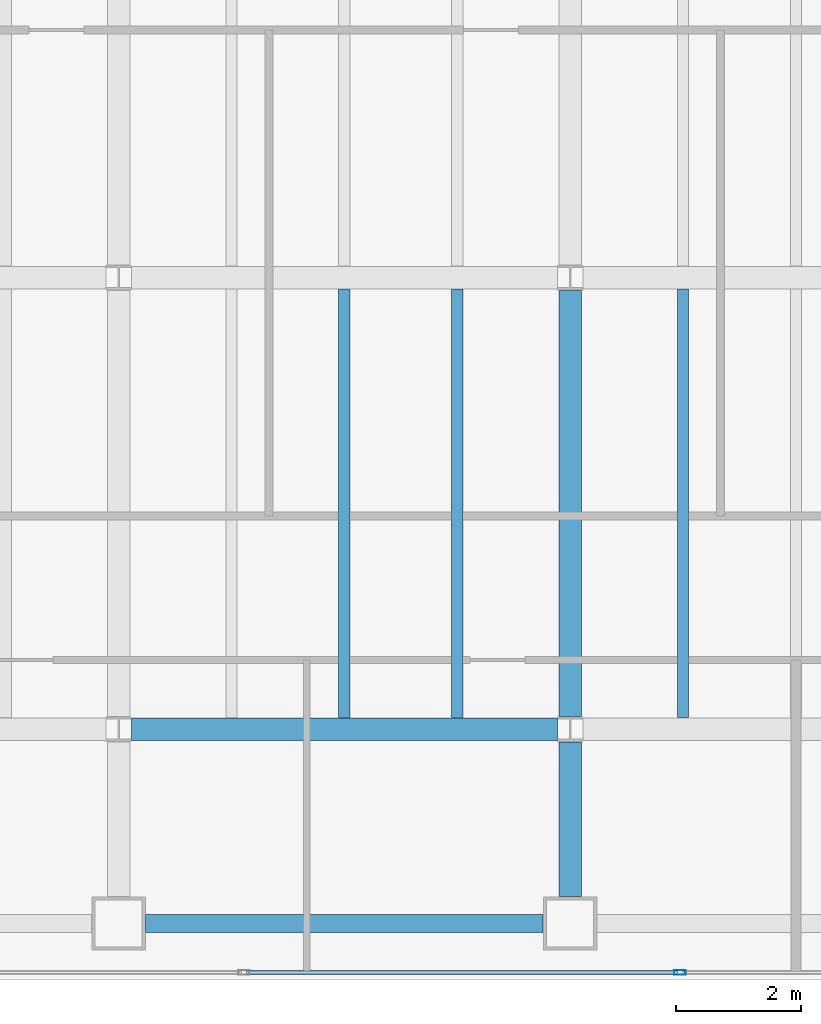
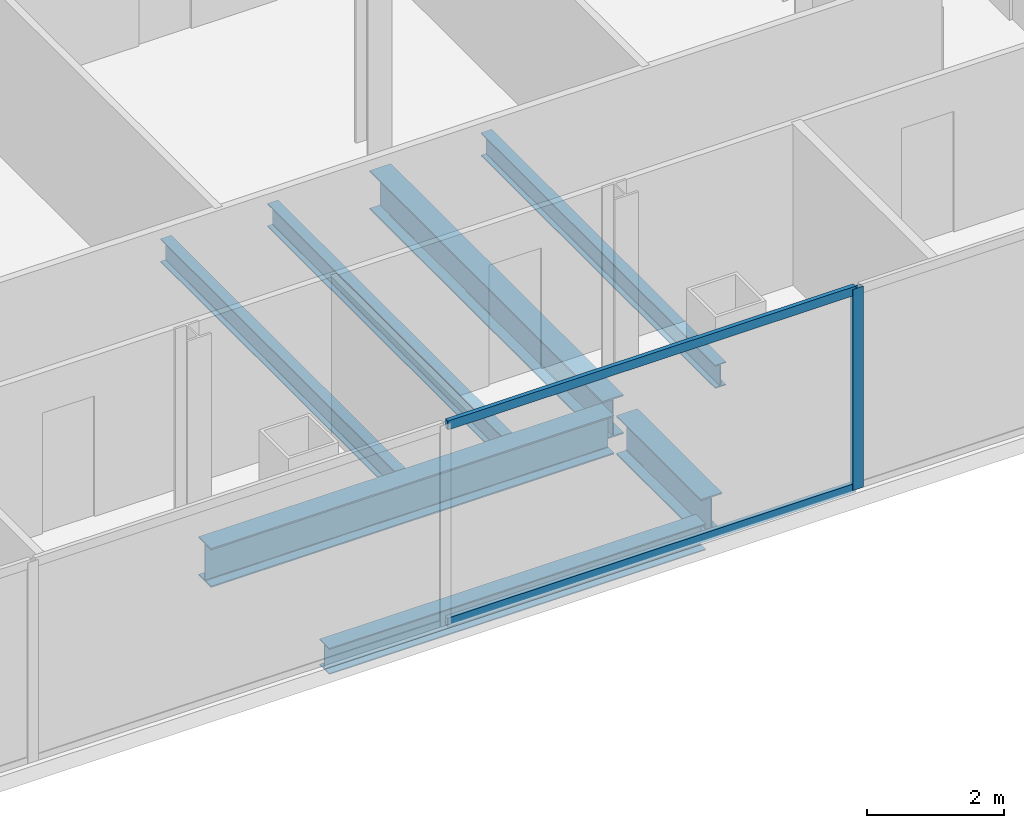
# One storey, part 5 of 24: 7 beams, 3 members, 1 element without a shape of its own.
"""IFC4 building model written with IfcOpenShell, lengths in metres."""

from ifc_helpers import new_model, si_unit, direction, frame, origin, origin_2d, place, context, subcontext, project, spatial, hollow_rectangle, i_section, extrude, material, material_profile, profile_set, type_object, element, aggregate, save


model = new_model("IFC4")

# Units and contexts
model_context = context("Model", 3, precision=1e-05, world=origin(), true_north=direction((0.0, 1.0)))
body_context = subcontext(model_context, "Body", "Model", "MODEL_VIEW")
ifc_project = project(units=[si_unit("LENGTHUNIT", "METRE"), si_unit("AREAUNIT", "SQUARE_METRE"), si_unit("VOLUMEUNIT", "CUBIC_METRE"), si_unit("PLANEANGLEUNIT", "RADIAN"), si_unit("MASSUNIT", "GRAM", prefix="KILO")], contexts=[model_context])

# Site, building, storey
site_placement = place(None, origin())
site = spatial("IfcSite", under=ifc_project, at=site_placement, CompositionType="ELEMENT")
building_placement = place(site_placement, origin())
building = spatial("IfcBuilding", under=site, at=building_placement, Name="Cobrela Telecom Tower", CompositionType="ELEMENT")
storey_placement = place(building_placement, frame((0.0, 0.0, 152.25)))
storey = spatial("IfcBuildingStorey", under=building, at=storey_placement, Name="L38", CompositionType="ELEMENT", Elevation=152.25)

# Beams
ifc_material_1 = material(Name="Steel ASTM A992 Grade 50", Category="steel")
ifc_material_profile_1 = material_profile(ifc_material_1, i_section(OverallWidth=0.35595703125, OverallDepth=0.696044921875, WebThickness=0.015380859375, FlangeThickness=0.024658203125, FilletRadius=0.01806640625, at=origin_2d()), Name="W27X146")
ifc_profile_set_1 = profile_set([ifc_material_profile_1], Name="Steel ASTM A992 Grade 50")
beam_type_1 = type_object("IfcBeamType", Name="BM-GIRD-05", PredefinedType="USERDEFINED", material=ifc_profile_set_1)
beam_1_placement = place(storey_placement, frame((21.804443359375, 7.199951171875, -0.617919921875), z_axis=(1.0, 0.0, 0.0), x_axis=(0.0, 1.0, 0.0)))
element("IfcBeam", 1, at=beam_1_placement, inside=storey, type_object=beam_type_1, Name="L38 Primary Girder X09", ObjectType="GIRDER", PredefinedType="USERDEFINED", context=body_context, shape_type="SweptSolid", body=[
    extrude(i_section(OverallWidth=0.35595703125, OverallDepth=0.696044921875, WebThickness=0.015380859375, FlangeThickness=0.024658203125, FilletRadius=0.01806640625, at=origin_2d()), origin(), (0.0, 0.0, 1.0), 6.791015625),
])
beam_2_placement = place(storey_placement, frame((28.800048828125, 4.530029296875, -0.617919921875), z_axis=(0.0, 1.0, 0.0), x_axis=(-1.0, 0.0, 0.0)))
element("IfcBeam", 2, at=beam_2_placement, inside=storey, type_object=beam_type_1, Name="L38 Primary Girder Y46", ObjectType="GIRDER", PredefinedType="USERDEFINED", context=body_context, shape_type="SweptSolid", body=[
    extrude(i_section(OverallWidth=0.35595703125, OverallDepth=0.696044921875, WebThickness=0.015380859375, FlangeThickness=0.024658203125, FilletRadius=0.01806640625, at=origin_2d()), origin(), (0.0, 0.0, 1.0), 2.465576171875),
])
beam_3_placement = place(storey_placement, frame((28.800048828125, 7.404541015625, -0.617919921875), z_axis=(0.0, 1.0, 0.0), x_axis=(-1.0, 0.0, 0.0)))
element("IfcBeam", 3, at=beam_3_placement, inside=storey, type_object=beam_type_1, Name="L38 Primary Girder Y47", ObjectType="GIRDER", PredefinedType="USERDEFINED", context=body_context, shape_type="SweptSolid", body=[
    extrude(i_section(OverallWidth=0.35595703125, OverallDepth=0.696044921875, WebThickness=0.015380859375, FlangeThickness=0.024658203125, FilletRadius=0.01806640625, at=origin_2d()), origin(), (0.0, 0.0, 1.0), 6.791015625),
])
ifc_material_profile_2 = material_profile(ifc_material_1, i_section(OverallWidth=0.179931640625, OverallDepth=0.4169921875, WebThickness=0.010986328125, FlangeThickness=0.01806640625, FilletRadius=0.011962890625, at=origin_2d()), Name="W16X57")
ifc_profile_set_2 = profile_set([ifc_material_profile_2], Name="Steel ASTM A992 Grade 50")
beam_type_2 = type_object("IfcBeamType", Name="BM-JOIST-04", PredefinedType="JOIST", material=ifc_profile_set_2)
for number, where, z_axis, x_axis, name in (
    (4, (25.199951171875, 7.383056640625, -0.478515625), (0.0, 1.0, 0.0), (-1.0, 0.0, 0.0), "L38 Secondary Composite Floor Beam J23"),
    (5, (27.0, 7.383056640625, -0.478515625), (0.0, 1.0, 0.0), (-1.0, 0.0, 0.0), "L38 Secondary Composite Floor Beam J25"),
    (6, (30.60009765625, 7.383056640625, -0.478515625), (0.0, 1.0, 0.0), (-1.0, 0.0, 0.0), "L38 Secondary Composite Floor Beam J27"),
):
    element("IfcBeam", number, at=place(storey_placement, frame(where, z_axis=z_axis, x_axis=x_axis)), inside=storey, type_object=beam_type_2, Name=name, PredefinedType="JOIST", context=body_context, shape_type="SweptSolid", body=[
        extrude(i_section(OverallWidth=0.179931640625, OverallDepth=0.4169921875, WebThickness=0.010986328125, FlangeThickness=0.01806640625, FilletRadius=0.011962890625, at=origin_2d()), origin(), (0.0, 0.0, 1.0), 6.833984375),
    ])
ifc_material_profile_3 = material_profile(ifc_material_1, i_section(OverallWidth=0.281982421875, OverallDepth=0.467041015625, WebThickness=0.01220703125, FlangeThickness=0.01953125, FilletRadius=0.012939453125, at=origin_2d()), Name="W18X86")
ifc_profile_set_3 = profile_set([ifc_material_profile_3], Name="Steel ASTM A992 Grade 50")
beam_type_3 = type_object("IfcBeamType", Name="BM-SPAND-04", PredefinedType="SPANDREL", material=ifc_profile_set_3)
beam_4_placement = place(storey_placement, frame((22.030029296875, 4.10009765625, -0.50341796875), z_axis=(1.0, 0.0, 0.0), x_axis=(0.0, 1.0, 0.0)))
element("IfcBeam", 7, at=beam_4_placement, inside=storey, type_object=beam_type_3, Name="L38 Perimeter Spandrel X03", PredefinedType="SPANDREL", context=body_context, shape_type="SweptSolid", body=[
    extrude(i_section(OverallWidth=0.281982421875, OverallDepth=0.467041015625, WebThickness=0.01220703125, FlangeThickness=0.01953125, FilletRadius=0.012939453125, at=origin_2d()), origin(), (0.0, 0.0, 1.0), 6.340087890625),
])

# Curtain wall, members
ifc_material_2 = material(Name="Anodized Bronze Aluminium 6063-T6", Category="aluminium")
curtain_wall_type = type_object("IfcCurtainWallType", Name="CW-SYS-TEL", PredefinedType="USERDEFINED", material=ifc_material_2)
curtain_wall_placement = place(storey_placement, origin())
curtain_wall = element("IfcCurtainWall", 8, at=curtain_wall_placement, inside=storey, type_object=curtain_wall_type, Name="L38 Unitised Bronze Curtain Wall 17", ObjectType="UNITISED CURTAIN WALL", PredefinedType="USERDEFINED")
ifc_material_profile_4 = material_profile(ifc_material_2, hollow_rectangle(XDim=0.074951171875, YDim=0.179931640625, WallThickness=0.00390625, at=origin_2d()), Name="ALU 75x180x4")
ifc_profile_set_4 = profile_set([ifc_material_profile_4], Name="Anodized Bronze Aluminium 6063-T6")
member_type_1 = type_object("IfcMemberType", Name="CW-SYS-TEL-MUL", PredefinedType="MULLION", material=ifc_profile_set_4)
member_1_placement = place(storey_placement, frame((30.550048828125, 3.320068359375, 0.0), z_axis=(0.0, 0.0, 1.0), x_axis=(0.0, -1.0, 0.0)))
member_1 = element("IfcMember", 9, at=member_1_placement, type_object=member_type_1, Name="CW-TEL mullion 3", PredefinedType="MULLION", context=body_context, shape_type="SweptSolid", body=[
    extrude(hollow_rectangle(XDim=0.074951171875, YDim=0.179931640625, WallThickness=0.00390625, at=origin_2d()), origin(), (0.0, 0.0, 1.0), 3.580078125),
])
ifc_material_profile_5 = material_profile(ifc_material_2, hollow_rectangle(XDim=0.070068359375, YDim=0.159912109375, WallThickness=0.00390625, at=origin_2d()), Name="ALU 70x160x4")
ifc_profile_set_5 = profile_set([ifc_material_profile_5], Name="Anodized Bronze Aluminium 6063-T6")
member_type_2 = type_object("IfcMemberType", Name="CW-SYS-TEL-TRN", PredefinedType="USERDEFINED", material=ifc_profile_set_5)
member_2_placement = place(storey_placement, frame((30.512451171875, 3.320068359375, 0.034912109375), z_axis=(-1.0, 0.0, 0.0), x_axis=(0.0, -1.0, 0.0)))
member_2 = element("IfcMember", 10, at=member_2_placement, type_object=member_type_2, Name="CW-TEL transom 3.1", ObjectType="TRANSOM", PredefinedType="USERDEFINED", context=body_context, shape_type="SweptSolid", body=[
    extrude(hollow_rectangle(XDim=0.070068359375, YDim=0.159912109375, WallThickness=0.00390625, at=origin_2d()), origin(), (0.0, 0.0, 1.0), 6.875),
])
member_3_placement = place(storey_placement, frame((30.512451171875, 3.320068359375, 3.544921875), z_axis=(-1.0, 0.0, 0.0), x_axis=(0.0, -1.0, 0.0)))
member_3 = element("IfcMember", 11, at=member_3_placement, type_object=member_type_2, Name="CW-TEL transom 3.2", ObjectType="TRANSOM", PredefinedType="USERDEFINED", context=body_context, shape_type="SweptSolid", body=[
    extrude(hollow_rectangle(XDim=0.070068359375, YDim=0.159912109375, WallThickness=0.00390625, at=origin_2d()), origin(), (0.0, 0.0, 1.0), 6.875),
])
aggregate(curtain_wall, [member_1, member_2, member_3])

save(model, "model.ifc")
